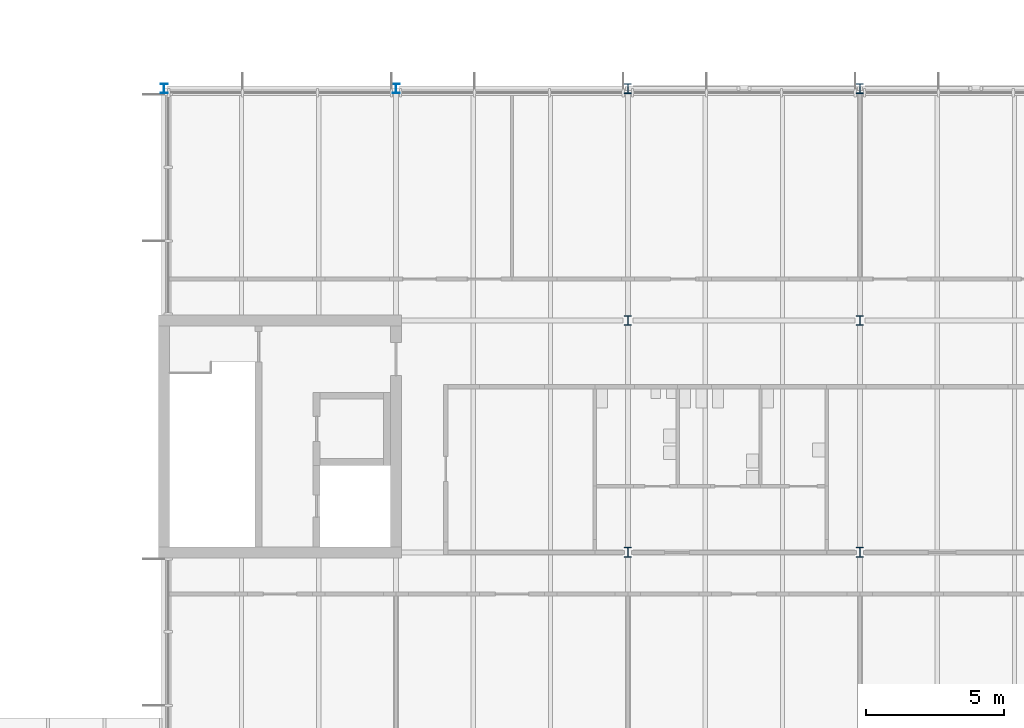
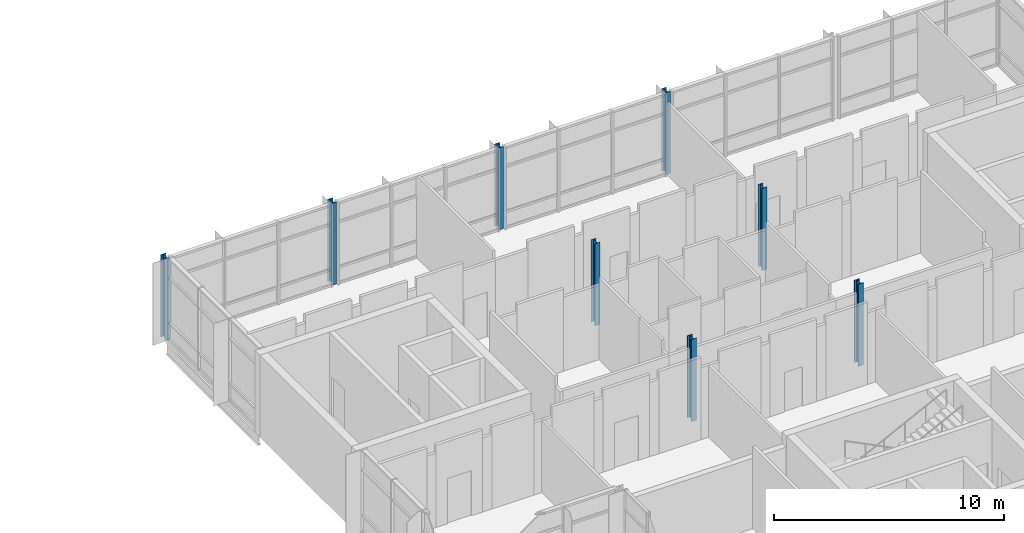
# One storey, part 6 of 76: 8 columns.
"""IFC4 building model written with IfcOpenShell, lengths in metres."""

from ifc_helpers import new_model, si_unit, direction, frame, origin, origin_2d, place, context, subcontext, project, spatial, i_section, extrude, material, material_profile, profile_set, type_object, element, save


model = new_model("IFC4")

# Units and contexts
model_context = context("Model", 3, precision=1e-05, world=origin(), true_north=direction((0.0, 1.0)))
body_context = subcontext(model_context, "Body", "Model", "MODEL_VIEW")
ifc_project = project(units=[si_unit("LENGTHUNIT", "METRE"), si_unit("AREAUNIT", "SQUARE_METRE"), si_unit("VOLUMEUNIT", "CUBIC_METRE"), si_unit("PLANEANGLEUNIT", "RADIAN"), si_unit("MASSUNIT", "GRAM", prefix="KILO")], contexts=[model_context])

# Site, building, storey
site_placement = place(None, origin())
site = spatial("IfcSite", under=ifc_project, at=site_placement, CompositionType="ELEMENT")
building_placement = place(site_placement, origin())
building = spatial("IfcBuilding", under=site, at=building_placement, Name="Hlaing Beacon Police Headquarters", CompositionType="ELEMENT")
storey_placement = place(building_placement, frame((0.0, 0.0, 18.89990234375)))
storey = spatial("IfcBuildingStorey", under=building, at=storey_placement, Name="L04", CompositionType="ELEMENT", Elevation=18.89990234375)

# Columns
ifc_material_1 = material(Name="Steel ASTM A992 Grade 50", Category="steel")
ifc_material_profile_1 = material_profile(ifc_material_1, i_section(OverallWidth=0.25390625, OverallDepth=0.35302734375, WebThickness=0.009521484375, FlangeThickness=0.016357421875, FilletRadius=0.01513671875, at=origin_2d()), Name="W14x61")
ifc_profile_set_1 = profile_set([ifc_material_profile_1], Name="Steel ASTM A992 Grade 50")
column_type_1 = type_object("IfcColumnType", Name="Steel column W14x61", PredefinedType="COLUMN", material=ifc_profile_set_1)
for number, where, z_axis, x_axis, name in (
    (1, (92.39990234375, 92.39990234375, 0.0), (0.0, 0.0, 1.0), (1.0, 0.0, 0.0), "STR-COL-L04-M12"),
    (2, (100.800048828125, 92.39990234375, 0.0), (0.0, 0.0, 1.0), (1.0, 0.0, 0.0), "STR-COL-L04-N12"),
):
    element("IfcColumn", number, at=place(storey_placement, frame(where, z_axis=z_axis, x_axis=x_axis)), inside=storey, type_object=column_type_1, Name=name, PredefinedType="COLUMN", context=body_context, shape_type="SweptSolid", body=[
        extrude(i_section(OverallWidth=0.25390625, OverallDepth=0.35302734375, WebThickness=0.009521484375, FlangeThickness=0.016357421875, FilletRadius=0.01513671875, at=origin_2d()), origin(), (0.0, 0.0, 1.0), 4.3701171875),
    ])
ifc_material_2 = material(Name="Steel ASTM A992 Grade 50", Category="steel")
ifc_material_profile_2 = material_profile(ifc_material_2, i_section(OverallWidth=0.256591796875, OverallDepth=0.360595703125, WebThickness=0.011474609375, FlangeThickness=0.02001953125, FilletRadius=0.01513671875, at=origin_2d()), Name="W14x74")
ifc_profile_set_2 = profile_set([ifc_material_profile_2], Name="Steel ASTM A992 Grade 50")
column_type_2 = type_object("IfcColumnType", Name="Steel column W14x74", PredefinedType="COLUMN", material=ifc_profile_set_2)
for number, where, z_axis, x_axis, name in (
    (3, (109.199951171875, 75.60009765625, 0.0), (0.0, 0.0, 1.0), (1.0, 0.0, 0.0), "STR-COL-L04-P10"),
    (4, (109.199951171875, 84.0, 0.0), (0.0, 0.0, 1.0), (1.0, 0.0, 0.0), "STR-COL-L04-P11"),
    (5, (117.60009765625, 75.60009765625, 0.0), (0.0, 0.0, 1.0), (1.0, 0.0, 0.0), "STR-COL-L04-Q10"),
    (6, (117.60009765625, 84.0, 0.0), (0.0, 0.0, 1.0), (1.0, 0.0, 0.0), "STR-COL-L04-Q11"),
):
    element("IfcColumn", number, at=place(storey_placement, frame(where, z_axis=z_axis, x_axis=x_axis)), inside=storey, type_object=column_type_2, Name=name, PredefinedType="COLUMN", context=body_context, shape_type="SweptSolid", body=[
        extrude(i_section(OverallWidth=0.256591796875, OverallDepth=0.360595703125, WebThickness=0.011474609375, FlangeThickness=0.02001953125, FilletRadius=0.01513671875, at=origin_2d()), origin(), (0.0, 0.0, 1.0), 4.3701171875),
    ])
ifc_material_3 = material(Name="Steel ASTM A992 Grade 50", Category="steel")
ifc_material_profile_3 = material_profile(ifc_material_3, i_section(OverallWidth=0.256591796875, OverallDepth=0.36328125, WebThickness=0.012939453125, FlangeThickness=0.021728515625, FilletRadius=0.01513671875, at=origin_2d()), Name="W14x82")
ifc_profile_set_3 = profile_set([ifc_material_profile_3], Name="Steel ASTM A992 Grade 50")
column_type_3 = type_object("IfcColumnType", Name="Steel column W14x82", PredefinedType="COLUMN", material=ifc_profile_set_3)
for number, where, z_axis, x_axis, name in (
    (7, (109.199951171875, 92.39990234375, 0.0), (0.0, 0.0, 1.0), (1.0, 0.0, 0.0), "STR-COL-L04-P12"),
    (8, (117.60009765625, 92.39990234375, 0.0), (0.0, 0.0, 1.0), (1.0, 0.0, 0.0), "STR-COL-L04-Q12"),
):
    element("IfcColumn", number, at=place(storey_placement, frame(where, z_axis=z_axis, x_axis=x_axis)), inside=storey, type_object=column_type_3, Name=name, PredefinedType="COLUMN", context=body_context, shape_type="SweptSolid", body=[
        extrude(i_section(OverallWidth=0.256591796875, OverallDepth=0.36328125, WebThickness=0.012939453125, FlangeThickness=0.021728515625, FilletRadius=0.01513671875, at=origin_2d()), origin(), (0.0, 0.0, 1.0), 4.3701171875),
    ])

save(model, "model.ifc")
